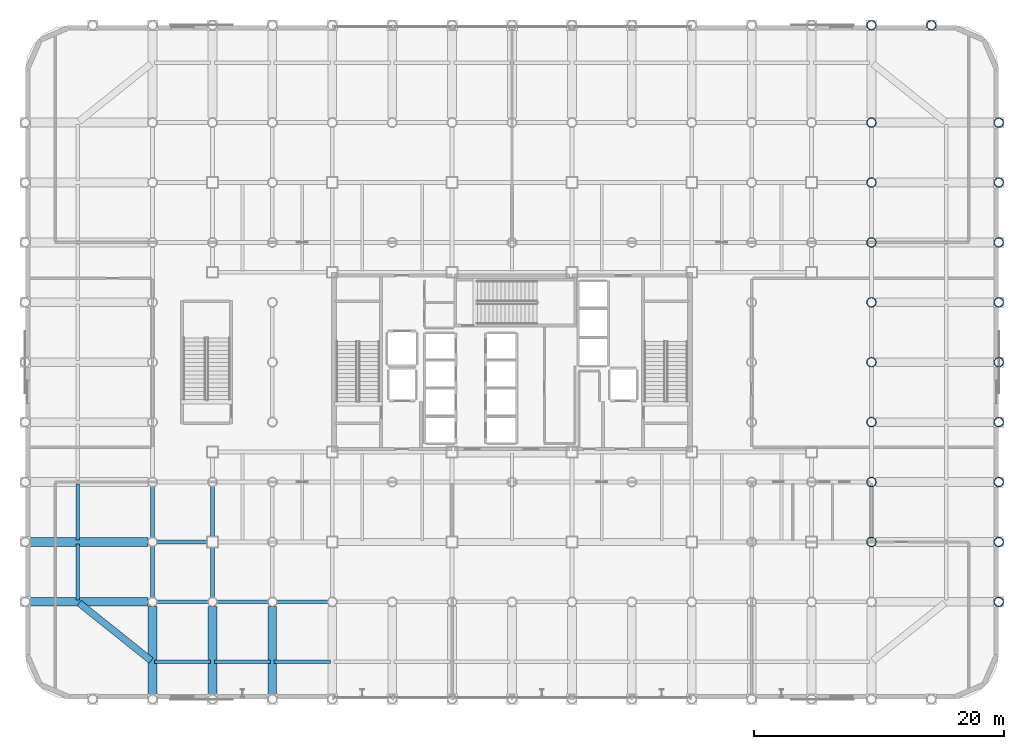
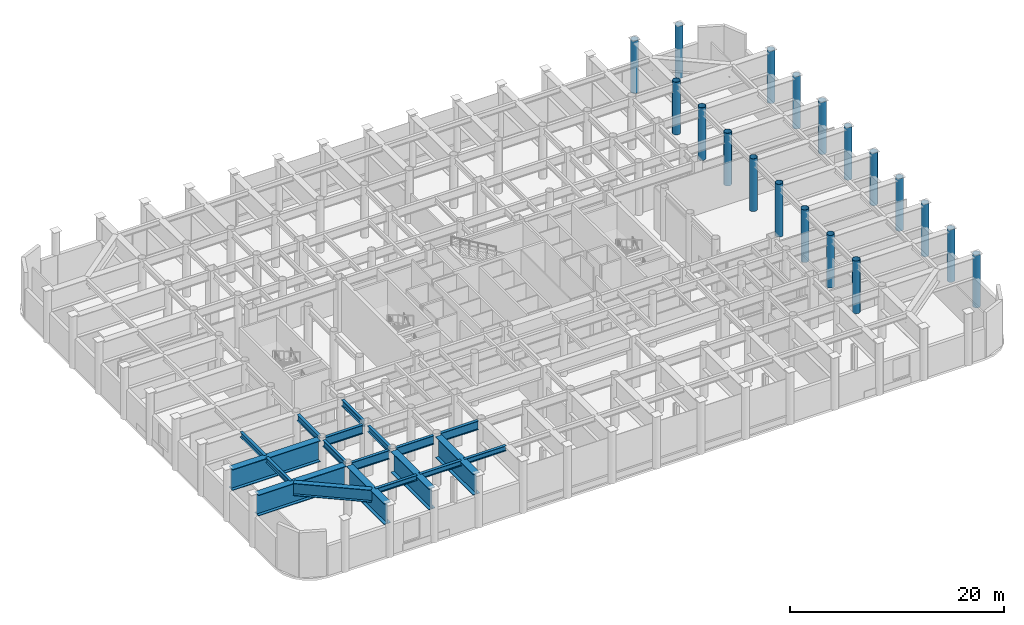
# One storey, part 4 of 26: 19 beams, 19 columns.
"""IFC4 building model written with IfcOpenShell, lengths in metres."""

from ifc_helpers import new_model, si_unit, direction, frame, origin, origin_2d, place, context, subcontext, project, spatial, hollow_circle, i_section, extrude, material, material_profile, profile_set, type_object, element, save


model = new_model("IFC4")

# Units and contexts
model_context = context("Model", 3, precision=1e-05, world=origin(), true_north=direction((0.0, 1.0)))
body_context = subcontext(model_context, "Body", "Model", "MODEL_VIEW")
ifc_project = project(units=[si_unit("LENGTHUNIT", "METRE"), si_unit("AREAUNIT", "SQUARE_METRE"), si_unit("VOLUMEUNIT", "CUBIC_METRE"), si_unit("PLANEANGLEUNIT", "RADIAN"), si_unit("MASSUNIT", "GRAM", prefix="KILO")], contexts=[model_context])

# Site, building, storey
site_placement = place(None, origin())
site = spatial("IfcSite", under=ifc_project, at=site_placement, CompositionType="ELEMENT")
building_placement = place(site_placement, origin())
building = spatial("IfcBuilding", under=site, at=building_placement, Name="Kallvorn Hotel Tower", CompositionType="ELEMENT")
storey_placement = place(building_placement, frame((0.0, 0.0, 6.0)))
storey = spatial("IfcBuildingStorey", under=building, at=storey_placement, Name="L01", CompositionType="ELEMENT", Elevation=6.0)

# Columns
ifc_material_1 = material(Name="Structural steel S355J2H", Category="steel")
ifc_material_profile_1 = material_profile(ifc_material_1, hollow_circle(Radius=0.381103515625, WallThickness=0.031982421875, at=origin_2d()), Name="CHS 762x32")
ifc_profile_set_1 = profile_set([ifc_material_profile_1], Name="Structural steel S355J2H")
column_type = type_object("IfcColumnType", Name="COL_CHS_762", PredefinedType="COLUMN", material=ifc_profile_set_1)
for number, where, z_axis, x_axis, name in (
    (1, (28.800048828125, -14.39990234375, 0.0), (0.0, 0.0, 1.0), (1.0, 0.0, 0.0), "L01 Exoskeleton Column EC93"),
    (2, (28.800048828125, -9.60009765625, 0.0), (0.0, 0.0, 1.0), (1.0, 0.0, 0.0), "L01 Exoskeleton Column EC94"),
    (3, (28.800048828125, -4.800048828125, 0.0), (0.0, 0.0, 1.0), (1.0, 0.0, 0.0), "L01 Exoskeleton Column EC95"),
    (4, (28.800048828125, 0.0, 0.0), (0.0, 0.0, 1.0), (1.0, 0.0, 0.0), "L01 Exoskeleton Column EC96"),
    (5, (28.800048828125, 4.800048828125, 0.0), (0.0, 0.0, 1.0), (1.0, 0.0, 0.0), "L01 Exoskeleton Column EC97"),
    (6, (28.800048828125, 9.60009765625, 0.0), (0.0, 0.0, 1.0), (1.0, 0.0, 0.0), "L01 Exoskeleton Column EC98"),
    (7, (28.800048828125, 14.39990234375, 0.0), (0.0, 0.0, 1.0), (1.0, 0.0, 0.0), "L01 Exoskeleton Column EC99"),
    (8, (28.800048828125, 19.199951171875, 0.0), (0.0, 0.0, 1.0), (1.0, 0.0, 0.0), "L01 Exoskeleton Column EC100"),
    (9, (28.800048828125, 27.0, 0.0), (0.0, 0.0, 1.0), (1.0, 0.0, 0.0), "L01 Exoskeleton Column EC101"),
    (10, (33.60009765625, 27.0, 0.0), (0.0, 0.0, 1.0), (1.0, 0.0, 0.0), "L01 Exoskeleton Column EC103"),
    (11, (39.0, -19.199951171875, 0.0), (0.0, 0.0, 1.0), (1.0, 0.0, 0.0), "L01 Exoskeleton Column EC104"),
    (12, (39.0, -14.39990234375, 0.0), (0.0, 0.0, 1.0), (1.0, 0.0, 0.0), "L01 Exoskeleton Column EC105"),
    (13, (39.0, -9.60009765625, 0.0), (0.0, 0.0, 1.0), (1.0, 0.0, 0.0), "L01 Exoskeleton Column EC106"),
    (14, (39.0, -4.800048828125, 0.0), (0.0, 0.0, 1.0), (1.0, 0.0, 0.0), "L01 Exoskeleton Column EC107"),
    (15, (39.0, 0.0, 0.0), (0.0, 0.0, 1.0), (1.0, 0.0, 0.0), "L01 Exoskeleton Column EC108"),
    (16, (39.0, 4.800048828125, 0.0), (0.0, 0.0, 1.0), (1.0, 0.0, 0.0), "L01 Exoskeleton Column EC109"),
    (17, (39.0, 9.60009765625, 0.0), (0.0, 0.0, 1.0), (1.0, 0.0, 0.0), "L01 Exoskeleton Column EC110"),
    (18, (39.0, 14.39990234375, 0.0), (0.0, 0.0, 1.0), (1.0, 0.0, 0.0), "L01 Exoskeleton Column EC111"),
    (19, (39.0, 19.199951171875, 0.0), (0.0, 0.0, 1.0), (1.0, 0.0, 0.0), "L01 Exoskeleton Column EC112"),
):
    element("IfcColumn", number, at=place(storey_placement, frame(where, z_axis=z_axis, x_axis=x_axis)), inside=storey, type_object=column_type, Name=name, PredefinedType="COLUMN", context=body_context, shape_type="SweptSolid", body=[
        extrude(hollow_circle(Radius=0.381103515625, WallThickness=0.031982421875, at=origin_2d()), origin(), (0.0, 0.0, 1.0), 6.0),
    ])

# Beams
ifc_material_2 = material(Name="Structural steel S355JR", Category="steel")
ifc_material_profile_2 = material_profile(ifc_material_2, i_section(OverallWidth=0.300048828125, OverallDepth=1.0, WebThickness=0.01904296875, FlangeThickness=0.035888671875, at=origin_2d()), Name="HE 1000 B")
ifc_profile_set_2 = profile_set([ifc_material_profile_2], Name="Structural steel S355JR")
beam_type_1 = type_object("IfcBeamType", Name="BM_HE1000B", PredefinedType="BEAM", material=ifc_profile_set_2)
for number, where, z_axis, x_axis, name in (
    (20, (-28.444091796875, -19.199951171875, 5.280029296875), (1.0, 0.0, 0.0), (0.0, 1.0, 0.0), "L02 Primary X-Girder 46"),
    (21, (-23.64404296875, -19.199951171875, 5.280029296875), (1.0, 0.0, 0.0), (0.0, 1.0, 0.0), "L02 Primary X-Girder 47"),
):
    element("IfcBeam", number, at=place(storey_placement, frame(where, z_axis=z_axis, x_axis=x_axis)), inside=storey, type_object=beam_type_1, Name=name, PredefinedType="BEAM", context=body_context, shape_type="SweptSolid", body=[
        extrude(i_section(OverallWidth=0.300048828125, OverallDepth=1.0, WebThickness=0.01904296875, FlangeThickness=0.035888671875, at=origin_2d()), origin(), (0.0, 0.0, 1.0), 4.088134765625),
    ])
beam_1_placement = place(storey_placement, frame((-18.843994140625, -19.199951171875, 5.280029296875), z_axis=(1.0, 0.0, 0.0), x_axis=(0.0, 1.0, 0.0)))
element("IfcBeam", 22, at=beam_1_placement, inside=storey, type_object=beam_type_1, Name="L02 Primary X-Girder 48", PredefinedType="BEAM", context=body_context, shape_type="SweptSolid", body=[
    extrude(i_section(OverallWidth=0.300048828125, OverallDepth=1.0, WebThickness=0.01904296875, FlangeThickness=0.035888671875, at=origin_2d()), origin(), (0.0, 0.0, 1.0), 4.087890625),
])
beam_2_placement = place(storey_placement, frame((-28.444091796875, -14.39990234375, 5.280029296875), z_axis=(1.0, 0.0, 0.0), x_axis=(0.0, 1.0, 0.0)))
element("IfcBeam", 23, at=beam_2_placement, inside=storey, type_object=beam_type_1, Name="L02 Primary X-Girder 60", PredefinedType="BEAM", context=body_context, shape_type="SweptSolid", body=[
    extrude(i_section(OverallWidth=0.300048828125, OverallDepth=1.0, WebThickness=0.01904296875, FlangeThickness=0.035888671875, at=origin_2d()), origin(), (0.0, 0.0, 1.0), 4.01904296875),
])
ifc_material_3 = material(Name="Structural steel S355JR", Category="steel")
ifc_material_profile_3 = material_profile(ifc_material_3, i_section(OverallWidth=0.300048828125, OverallDepth=0.60009765625, WebThickness=0.015380859375, FlangeThickness=0.030029296875, at=origin_2d()), Name="HE 600 B")
ifc_profile_set_3 = profile_set([ifc_material_profile_3], Name="Structural steel S355JR")
beam_type_2 = type_object("IfcBeamType", Name="BM_HE600B", PredefinedType="SPANDREL", material=ifc_profile_set_3)
for number, where, z_axis, x_axis, name in (
    (24, (-28.64990234375, -24.0, 5.47998046875), (1.0, 0.0, 0.0), (0.0, 1.0, 0.0), "L02 Perimeter Spandrel 216"),
    (25, (-23.85009765625, -24.0, 5.47998046875), (1.0, 0.0, 0.0), (0.0, 1.0, 0.0), "L02 Perimeter Spandrel 217"),
    (26, (-19.050048828125, -24.0, 5.47998046875), (1.0, 0.0, 0.0), (0.0, 1.0, 0.0), "L02 Perimeter Spandrel 218"),
    (27, (-34.800048828125, -19.050048828125, 5.47998046875), (0.0, 1.0, 0.0), (-1.0, 0.0, 0.0), "L02 Perimeter Spandrel 240"),
    (28, (-34.800048828125, -14.25, 5.47998046875), (0.0, 1.0, 0.0), (-1.0, 0.0, 0.0), "L02 Perimeter Spandrel 241"),
):
    element("IfcBeam", number, at=place(storey_placement, frame(where, z_axis=z_axis, x_axis=x_axis)), inside=storey, type_object=beam_type_2, Name=name, PredefinedType="SPANDREL", context=body_context, shape_type="SweptSolid", body=[
        extrude(i_section(OverallWidth=0.300048828125, OverallDepth=0.60009765625, WebThickness=0.015380859375, FlangeThickness=0.030029296875, at=origin_2d()), origin(), (0.0, 0.0, 1.0), 4.5),
    ])
ifc_material_4 = material(Name="Structural steel S355JR", Category="steel")
ifc_material_profile_4 = material_profile(ifc_material_4, i_section(OverallWidth=0.300048828125, OverallDepth=0.699951171875, WebThickness=0.01708984375, FlangeThickness=0.031982421875, at=origin_2d()), Name="HE 700 B")
ifc_profile_set_4 = profile_set([ifc_material_profile_4], Name="Structural steel S355JR")
beam_type_3 = type_object("IfcBeamType", Name="BM_HE700B", PredefinedType="BEAM", material=ifc_profile_set_4)
for number, where, z_axis, x_axis, name in (
    (29, (-28.800048828125, -18.843994140625, 5.429931640625), (0.0, 1.0, 0.0), (-1.0, 0.0, 0.0), "L02 Primary Y-Girder 125"),
    (30, (-28.800048828125, -14.0439453125, 5.429931640625), (0.0, 1.0, 0.0), (-1.0, 0.0, 0.0), "L02 Primary Y-Girder 126"),
):
    element("IfcBeam", number, at=place(storey_placement, frame(where, z_axis=z_axis, x_axis=x_axis)), inside=storey, type_object=beam_type_3, Name=name, PredefinedType="BEAM", context=body_context, shape_type="SweptSolid", body=[
        extrude(i_section(OverallWidth=0.300048828125, OverallDepth=0.699951171875, WebThickness=0.01708984375, FlangeThickness=0.031982421875, at=origin_2d()), origin(), (0.0, 0.0, 1.0), 4.087890625),
    ])
for number, where, z_axis, x_axis, name in (
    (31, (-24.0, -18.843994140625, 5.429931640625), (0.0, 1.0, 0.0), (-1.0, 0.0, 0.0), "L02 Primary Y-Girder 135"),
    (32, (-24.0, -13.97509765625, 5.429931640625), (0.0, 1.0, 0.0), (-1.0, 0.0, 0.0), "L02 Primary Y-Girder 136"),
):
    element("IfcBeam", number, at=place(storey_placement, frame(where, z_axis=z_axis, x_axis=x_axis)), inside=storey, type_object=beam_type_3, Name=name, PredefinedType="BEAM", context=body_context, shape_type="SweptSolid", body=[
        extrude(i_section(OverallWidth=0.300048828125, OverallDepth=0.699951171875, WebThickness=0.01708984375, FlangeThickness=0.031982421875, at=origin_2d()), origin(), (0.0, 0.0, 1.0), 4.01904296875),
    ])
ifc_material_5 = material(Name="Structural steel S355JR", Category="steel")
ifc_material_profile_5 = material_profile(ifc_material_5, i_section(OverallWidth=0.550048828125, OverallDepth=1.39990234375, WebThickness=0.02490234375, FlangeThickness=0.044921875, at=origin_2d()), Name="PG 1400x550x25x45")
ifc_profile_set_5 = profile_set([ifc_material_profile_5], Name="Structural steel S355JR")
beam_type_4 = type_object("IfcBeamType", Name="BM_PG_1400", PredefinedType="BEAM", material=ifc_profile_set_5)
beam_3_placement = place(storey_placement, frame((-34.682861328125, -19.293701171875, 5.080078125), z_axis=(0.780878486692, -0.624682950801, 0.0), x_axis=(0.624682950801, 0.780878486692, 0.0)))
element("IfcBeam", 33, at=beam_3_placement, inside=storey, type_object=beam_type_4, Name="L02 Rounded Corner Tie Beam 256", PredefinedType="BEAM", context=body_context, shape_type="SweptSolid", body=[
    extrude(i_section(OverallWidth=0.550048828125, OverallDepth=1.39990234375, WebThickness=0.02490234375, FlangeThickness=0.044921875, at=origin_2d()), origin(), (0.0, 0.0, 1.0), 7.3837890625),
])
ifc_material_6 = material(Name="Structural steel S355JR", Category="steel")
ifc_material_profile_6 = material_profile(ifc_material_6, i_section(OverallWidth=0.699951171875, OverallDepth=2.39990234375, WebThickness=0.031982421875, FlangeThickness=0.06005859375, at=origin_2d()), Name="PG 2400x700x32x60")
ifc_profile_set_6 = profile_set([ifc_material_profile_6], Name="Structural steel S355JR")
beam_type_5 = type_object("IfcBeamType", Name="BM_PG_2400", PredefinedType="BEAM", material=ifc_profile_set_6)
for number, where, z_axis, x_axis, name in (
    (34, (-38.62890625, -19.199951171875, 4.580078125), (1.0, 0.0, 0.0), (0.0, 1.0, 0.0), "L02 Setback Transfer Girder 01"),
    (35, (-38.62890625, -14.39990234375, 4.580078125), (1.0, 0.0, 0.0), (0.0, 1.0, 0.0), "L02 Setback Transfer Girder 02"),
):
    element("IfcBeam", number, at=place(storey_placement, frame(where, z_axis=z_axis, x_axis=x_axis)), inside=storey, type_object=beam_type_5, Name=name, PredefinedType="BEAM", context=body_context, shape_type="SweptSolid", body=[
        extrude(i_section(OverallWidth=0.699951171875, OverallDepth=2.39990234375, WebThickness=0.031982421875, FlangeThickness=0.06005859375, at=origin_2d()), origin(), (0.0, 0.0, 1.0), 9.4580078125),
    ])
for number, where, z_axis, x_axis, name in (
    (36, (-28.800048828125, -26.62890625, 4.580078125), (0.0, 1.0, 0.0), (-1.0, 0.0, 0.0), "L02 Setback Transfer Girder 10"),
    (37, (-24.0, -26.62890625, 4.580078125), (0.0, 1.0, 0.0), (-1.0, 0.0, 0.0), "L02 Setback Transfer Girder 12"),
    (38, (-19.199951171875, -26.62890625, 4.580078125), (0.0, 1.0, 0.0), (-1.0, 0.0, 0.0), "L02 Setback Transfer Girder 14"),
):
    element("IfcBeam", number, at=place(storey_placement, frame(where, z_axis=z_axis, x_axis=x_axis)), inside=storey, type_object=beam_type_5, Name=name, PredefinedType="BEAM", context=body_context, shape_type="SweptSolid", body=[
        extrude(i_section(OverallWidth=0.699951171875, OverallDepth=2.39990234375, WebThickness=0.031982421875, FlangeThickness=0.06005859375, at=origin_2d()), origin(), (0.0, 0.0, 1.0), 7.057861328125),
    ])

save(model, "model.ifc")
